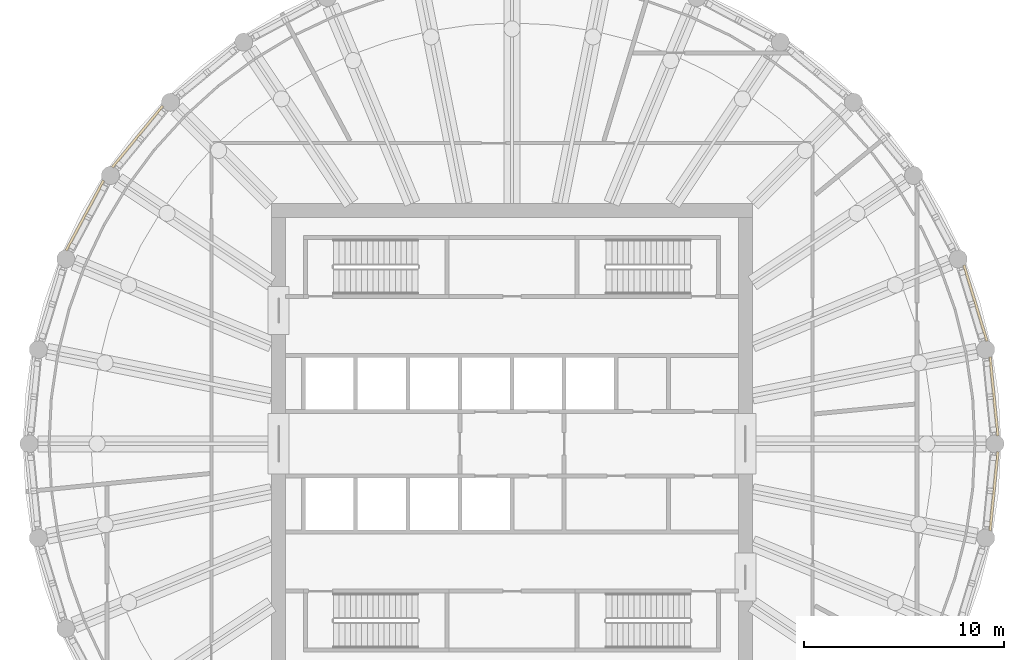
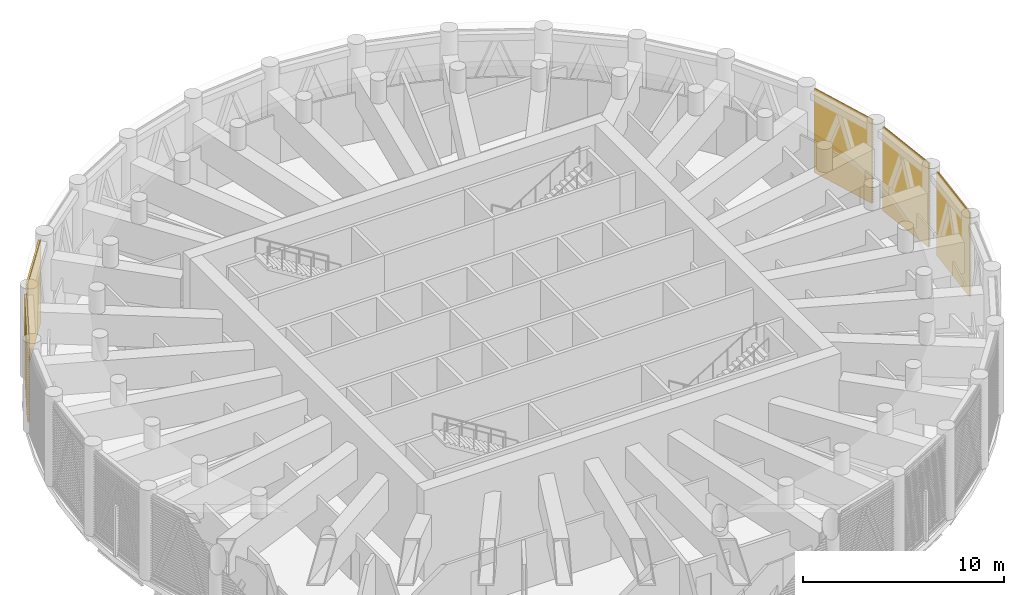
# One storey, part 16 of 19: 5 shading devices, 5 elements without a shape of their own.
"""IFC4 building model written with IfcOpenShell, lengths in metres."""

import ifcopenshell
import ifcopenshell.guid

model = None  # the IFC model being written
_history = None  # IfcOwnerHistory: only IFC2X3 demands one
_inside = {}  # id of a spatial element -> (the spatial element, [elements in it])
_under = {}  # id of a project, library or spatial element -> (it, [spatial elements below it])
_declared = {}  # id of a project -> (the project, [libraries it declares])
_typed = {}  # id of a type object -> (the type object, [elements of that type])
_made_of = {}  # id of a material, layer set ... -> (it, [elements and type objects made of it])


def new_model(schema):
    """Start an empty IFC model of exactly this schema.

    Asked for "IFC4X3", IfcOpenShell would pick the latest addendum, in which some entities
    have other attributes; the version numbers below select the first issue.
    IFC2X3 requires an IfcOwnerHistory on every rooted entity: one is made here for all.
    """
    global model, _history
    if schema == "IFC4X3":
        model = ifcopenshell.file(schema_version=(4, 3, 0, 0))
    else:
        model = ifcopenshell.file(schema=schema)
    _inside.clear()
    _under.clear()
    _declared.clear()
    _typed.clear()
    _made_of.clear()
    _history = None
    if model.schema == "IFC2X3":
        org = make("IfcOrganization", Name="unknown")
        user = make(
            "IfcPersonAndOrganization",
            ThePerson=make("IfcPerson", FamilyName="unknown"),
            TheOrganization=org,
        )
        app = make(
            "IfcApplication",
            ApplicationDeveloper=org,
            Version="unknown",
            ApplicationFullName="unknown",
            ApplicationIdentifier="unknown",
        )
        _history = make(
            "IfcOwnerHistory",
            OwningUser=user,
            OwningApplication=app,
            ChangeAction="ADDED",
            CreationDate=0,
        )
    return model


def make(cls, **values):
    """One entity of the class cls with the attributes given. An attribute that is None is left unset."""
    return model.create_entity(
        cls, **{name: value for name, value in values.items() if value is not None}
    )


def rooted(cls, **values):
    """An entity with a GlobalId (a new one), such as an element, a storey or a relation."""
    return make(cls, GlobalId=ifcopenshell.guid.new(), OwnerHistory=_history, **values)


def si_unit(unit_type, name, prefix=None):
    """IfcSIUnit, for example si_unit("LENGTHUNIT", "METRE", prefix="MILLI")."""
    return make("IfcSIUnit", UnitType=unit_type, Prefix=prefix, Name=name)


def assignment(units):
    """IfcUnitAssignment: the units of a project."""
    return None if units is None else make("IfcUnitAssignment", Units=units)


def point(xyz):
    """IfcCartesianPoint."""
    return None if xyz is None else make("IfcCartesianPoint", Coordinates=xyz)


def direction(xyz):
    """IfcDirection."""
    return None if xyz is None else make("IfcDirection", DirectionRatios=xyz)


def frame(location, z_axis=None, x_axis=None):
    """IfcAxis2Placement3D, a coordinate frame: its origin and axes. An axis left out is left unset."""
    return make(
        "IfcAxis2Placement3D",
        Location=point(location),
        Axis=direction(z_axis),
        RefDirection=direction(x_axis),
    )


def origin():
    """The frame at (0, 0, 0) with its axes left unset."""
    return frame((0.0, 0.0, 0.0))


def place(relative_to, where):
    """IfcLocalPlacement: puts the frame where relative to a parent placement (None: the world)."""
    return make(
        "IfcLocalPlacement", PlacementRelTo=relative_to, RelativePlacement=where
    )


def context(
    kind, dimensions, precision=None, world=None, true_north=None, identifier=None
):
    """IfcGeometricRepresentationContext, for example the 3D "Model" context."""
    return make(
        "IfcGeometricRepresentationContext",
        ContextIdentifier=identifier,
        ContextType=kind,
        CoordinateSpaceDimension=dimensions,
        Precision=precision,
        WorldCoordinateSystem=world,
        TrueNorth=true_north,
    )


def subcontext(parent, identifier, kind, view, scale=None):
    """IfcGeometricRepresentationSubContext, for example "Body" below "Model"."""
    return make(
        "IfcGeometricRepresentationSubContext",
        ContextIdentifier=identifier,
        ContextType=kind,
        ParentContext=parent,
        TargetScale=scale,
        TargetView=view,
    )


def project(units=None, contexts=None):
    """IfcProject with its units and contexts."""
    return rooted(
        "IfcProject",
        Name="project",
        RepresentationContexts=contexts,
        UnitsInContext=assignment(units),
    )


def spatial(cls, under=None, at=None, **own):
    """A site, building, storey or space (cls), placed at a placement, below another one or the project."""
    s = rooted(cls, ObjectPlacement=at, **own)
    if under is not None:
        _under.setdefault(under.id(), (under, []))[1].append(s)
    return s


def polyline(points):
    """IfcPolyline through the points."""
    return make("IfcPolyline", Points=[point(p) for p in points])


def outline(outer, holes=None, kind="AREA"):
    """IfcArbitraryClosedProfileDef: a profile drawn as a closed curve; with holes, ...WithVoids."""
    if holes is None:
        return make("IfcArbitraryClosedProfileDef", ProfileType=kind, OuterCurve=outer)
    return make(
        "IfcArbitraryProfileDefWithVoids",
        ProfileType=kind,
        OuterCurve=outer,
        InnerCurves=holes,
    )


def extrude(swept, where, along, depth):
    """IfcExtrudedAreaSolid: the profile swept, set in the frame where, extruded along a direction by depth."""
    return make(
        "IfcExtrudedAreaSolid",
        SweptArea=swept,
        Position=where,
        ExtrudedDirection=direction(along),
        Depth=depth,
    )


def shape(context_of_items, identifier, shape_type, items):
    """IfcShapeRepresentation: the items that make up one representation, for example the "Body"."""
    return make(
        "IfcShapeRepresentation",
        ContextOfItems=context_of_items,
        RepresentationIdentifier=identifier,
        RepresentationType=shape_type,
        Items=items,
    )


def material(Name=None, Category=None):
    """IfcMaterial."""
    return make("IfcMaterial", Name=Name, Category=Category)


def material_profile(
    of_material, cross_section, Name=None, Category=None, Priority=None
):
    """IfcMaterialProfile: a cross section and its material."""
    return make(
        "IfcMaterialProfile",
        Name=Name,
        Material=of_material,
        Profile=cross_section,
        Priority=Priority,
        Category=Category,
    )


def profile_set(profiles, Name=None, composite=None):
    """IfcMaterialProfileSet."""
    return make(
        "IfcMaterialProfileSet",
        Name=Name,
        MaterialProfiles=profiles,
        CompositeProfile=composite,
    )


def made_of(thing, what):
    """Note that an element or type object is made of a material, layer set ...; save() writes the relation."""
    if what is not None:
        _made_of.setdefault(what.id(), (what, []))[1].append(thing)
    return thing


def type_object(cls, material=None, **own):
    """A type object (cls), such as IfcWallType, which elements share."""
    return made_of(rooted(cls, **own), material)


def element(
    cls,
    number,
    at=None,
    inside=None,
    cuts=None,
    type_object=None,
    material=None,
    context=None,
    identifier="Body",
    shape_type=None,
    held_by="IfcProductDefinitionShape",
    body=None,
    shapes=None,
    **own,
):
    """One element of the class cls, such as IfcWall. Its Tag is "e" and its number.

    at: its placement. inside: the storey or other place that contains it. cuts: it is an
    opening in that element (IfcRelVoidsElement). A single representation is given by context,
    identifier, shape_type and body (its items); several are given by shapes. held_by: the class
    of the entity that holds the representations. save() writes the other relations.
    """
    e = rooted(cls, Tag="e%d" % number, ObjectPlacement=at, **own)
    if body is not None:
        shapes = [shape(context, identifier, shape_type, body)]
    if shapes is not None:
        e.Representation = make(held_by, Representations=shapes)
    if inside is not None:
        _inside.setdefault(inside.id(), (inside, []))[1].append(e)
    if cuts is not None:
        rooted(
            "IfcRelVoidsElement", RelatingBuildingElement=cuts, RelatedOpeningElement=e
        )
    if type_object is not None:
        _typed.setdefault(type_object.id(), (type_object, []))[1].append(e)
    return made_of(e, material)


def aggregate(whole, parts):
    """IfcRelAggregates: a whole, such as a stair, and the parts it consists of."""
    return rooted("IfcRelAggregates", RelatingObject=whole, RelatedObjects=parts)


def save(model, path):
    """Write the relations noted so far, then the file.

    IfcRelAggregates (storeys below a building ...), IfcRelContainedInSpatialStructure (elements
    in a storey), IfcRelDefinesByType, IfcRelAssociatesMaterial and IfcRelDeclares: one each for
    every whole, place, type object, material and project.
    """
    for whole, parts in _under.values():
        aggregate(whole, parts)
    for where, things in _inside.values():
        rooted(
            "IfcRelContainedInSpatialStructure",
            RelatedElements=things,
            RelatingStructure=where,
        )
    for kind, things in _typed.values():
        rooted("IfcRelDefinesByType", RelatedObjects=things, RelatingType=kind)
    for what, things in _made_of.values():
        rooted("IfcRelAssociatesMaterial", RelatedObjects=things, RelatingMaterial=what)
    for by, libraries in _declared.values():
        rooted("IfcRelDeclares", RelatingContext=by, RelatedDefinitions=libraries)
    model.write(path)


model = new_model("IFC4")

# Units and contexts
model_context = context("Model", 3, precision=1e-05, world=origin(), true_north=direction((0.0, 1.0)))
body_context = subcontext(model_context, "Body", "Model", "MODEL_VIEW")
ifc_project = project(units=[si_unit("LENGTHUNIT", "METRE"), si_unit("AREAUNIT", "SQUARE_METRE"), si_unit("VOLUMEUNIT", "CUBIC_METRE"), si_unit("PLANEANGLEUNIT", "RADIAN"), si_unit("MASSUNIT", "GRAM", prefix="KILO")], contexts=[model_context])

# Site, building, storey
site_placement = place(None, origin())
site = spatial("IfcSite", under=ifc_project, at=site_placement, CompositionType="ELEMENT")
building_placement = place(site_placement, origin())
building = spatial("IfcBuilding", under=site, at=building_placement, Name="Corvane Civic Tower", CompositionType="ELEMENT")
storey_placement = place(building_placement, frame((0.0, 0.0, 319.0)))
storey = spatial("IfcBuildingStorey", under=building, at=storey_placement, Name="L76", CompositionType="ELEMENT", Elevation=319.0)

# Curtain wall, shading device
ifc_material_1 = material(Name="Anodised aluminium bronze", Category="aluminium")
curtain_wall_type = type_object("IfcCurtainWallType", Name="TOWER CW-LV LOUVRE SCREEN WALL", PredefinedType="NOTDEFINED", material=ifc_material_1)
curtain_wall_1_placement = place(storey_placement, origin())
curtain_wall_1 = element("IfcCurtainWall", 1, at=curtain_wall_1_placement, inside=storey, type_object=curtain_wall_type, Name="Louvre screen wall CW-LV L76 bay 07", PredefinedType="NOTDEFINED")
ifc_material_2 = material(Name="Anodised aluminium bronze", Category="aluminium")
ifc_material_profile = material_profile(ifc_material_2, outline(polyline([(-0.06005859375, -2.56494140625), (-0.0400390625, -2.56494140625), (0.06005859375, -2.492919921875), (0.06005859375, -2.472900390625), (-0.0400390625, -2.544921875), (-0.0400390625, -2.4140625), (0.06005859375, -2.342041015625), (0.06005859375, -2.322021484375), (-0.0400390625, -2.39404296875), (-0.0400390625, -2.26318359375), (0.06005859375, -2.191162109375), (0.06005859375, -2.171142578125), (-0.0400390625, -2.2431640625), (-0.0400390625, -2.1123046875), (0.06005859375, -2.040283203125), (0.06005859375, -2.0205078125), (-0.0400390625, -2.09228515625), (-0.0400390625, -1.96142578125), (0.06005859375, -1.889404296875), (0.06005859375, -1.869384765625), (-0.0400390625, -1.94140625), (-0.0400390625, -1.810546875), (0.06005859375, -1.738525390625), (0.06005859375, -1.718505859375), (-0.0400390625, -1.79052734375), (-0.0400390625, -1.65966796875), (0.06005859375, -1.587646484375), (0.06005859375, -1.567626953125), (-0.0400390625, -1.6396484375), (-0.0400390625, -1.5087890625), (0.06005859375, -1.436767578125), (0.06005859375, -1.416748046875), (-0.0400390625, -1.48876953125), (-0.0400390625, -1.35791015625), (0.06005859375, -1.285888671875), (0.06005859375, -1.265869140625), (-0.0400390625, -1.337890625), (-0.0400390625, -1.20703125), (0.06005859375, -1.135009765625), (0.06005859375, -1.114990234375), (-0.0400390625, -1.18701171875), (-0.0400390625, -1.05615234375), (0.06005859375, -0.984130859375), (0.06005859375, -0.964111328125), (-0.0400390625, -1.0361328125), (-0.0400390625, -0.9052734375), (0.06005859375, -0.833251953125), (0.06005859375, -0.813232421875), (-0.0400390625, -0.88525390625), (-0.0400390625, -0.75439453125), (0.06005859375, -0.682373046875), (0.06005859375, -0.662353515625), (-0.0400390625, -0.734375), (-0.0400390625, -0.603515625), (0.06005859375, -0.531494140625), (0.06005859375, -0.511474609375), (-0.0400390625, -0.58349609375), (-0.0400390625, -0.45263671875), (0.06005859375, -0.380615234375), (0.06005859375, -0.360595703125), (-0.0400390625, -0.4326171875), (-0.0400390625, -0.3017578125), (0.06005859375, -0.229736328125), (0.06005859375, -0.209716796875), (-0.0400390625, -0.28173828125), (-0.0400390625, -0.15087890625), (0.06005859375, -0.078857421875), (0.06005859375, -0.058837890625), (-0.0400390625, -0.130859375), (-0.0400390625, 0.0), (0.06005859375, 0.072021484375), (0.06005859375, 0.092041015625), (-0.0400390625, 0.02001953125), (-0.0400390625, 0.15087890625), (0.06005859375, 0.222900390625), (0.06005859375, 0.242919921875), (-0.0400390625, 0.1708984375), (-0.0400390625, 0.3017578125), (0.06005859375, 0.373779296875), (0.06005859375, 0.393798828125), (-0.0400390625, 0.32177734375), (-0.0400390625, 0.45263671875), (0.06005859375, 0.524658203125), (0.06005859375, 0.544677734375), (-0.0400390625, 0.47265625), (-0.0400390625, 0.603515625), (0.06005859375, 0.675537109375), (0.06005859375, 0.695556640625), (-0.0400390625, 0.62353515625), (-0.0400390625, 0.75439453125), (0.06005859375, 0.826416015625), (0.06005859375, 0.846435546875), (-0.0400390625, 0.7744140625), (-0.0400390625, 0.9052734375), (0.06005859375, 0.977294921875), (0.06005859375, 0.997314453125), (-0.0400390625, 0.92529296875), (-0.0400390625, 1.05615234375), (0.06005859375, 1.128173828125), (0.06005859375, 1.148193359375), (-0.0400390625, 1.076171875), (-0.0400390625, 1.20703125), (0.06005859375, 1.279052734375), (0.06005859375, 1.299072265625), (-0.0400390625, 1.22705078125), (-0.0400390625, 1.35791015625), (0.06005859375, 1.429931640625), (0.06005859375, 1.449951171875), (-0.0400390625, 1.3779296875), (-0.0400390625, 1.5087890625), (0.06005859375, 1.580810546875), (0.06005859375, 1.600830078125), (-0.0400390625, 1.52880859375), (-0.0400390625, 1.65966796875), (0.06005859375, 1.731689453125), (0.06005859375, 1.751708984375), (-0.0400390625, 1.6796875), (-0.0400390625, 1.810546875), (0.06005859375, 1.882568359375), (0.06005859375, 1.902587890625), (-0.0400390625, 1.83056640625), (-0.0400390625, 1.96142578125), (0.06005859375, 2.033447265625), (0.06005859375, 2.053466796875), (-0.0400390625, 1.9814453125), (-0.0400390625, 2.1123046875), (0.06005859375, 2.184326171875), (0.06005859375, 2.204345703125), (-0.0400390625, 2.13232421875), (-0.0400390625, 2.26318359375), (0.06005859375, 2.335205078125), (0.06005859375, 2.355224609375), (-0.0400390625, 2.283203125), (-0.0400390625, 2.4140625), (0.06005859375, 2.486083984375), (0.06005859375, 2.506103515625), (-0.0400390625, 2.43408203125), (-0.0400390625, 2.56494140625), (-0.06005859375, 2.56494140625), (-0.06005859375, -2.56494140625)])), Name="TOWER LOUVRE BANK 5130 BRONZE")
ifc_profile_set = profile_set([ifc_material_profile], Name="Anodised aluminium bronze")
shading_device_type = type_object("IfcShadingDeviceType", Name="TOWER LOUVRE BANK 5130 BRONZE", PredefinedType="USERDEFINED", material=ifc_profile_set)
shading_device_1_placement = place(storey_placement, frame((22.548095703125, 8.908447265625, 2.68505859375), z_axis=(0.290265825309, -0.956946054205, 0.0), x_axis=(0.956946054205, 0.290265825309, 0.0)))
shading_device_1 = element("IfcShadingDevice", 2, at=shading_device_1_placement, type_object=shading_device_type, Name="Louvre bank L76 07.1", ObjectType="LOUVRE", PredefinedType="USERDEFINED", context=body_context, shape_type="SweptSolid", body=[
    extrude(outline(polyline([(-0.06005859375, -2.56494140625), (-0.0400390625, -2.56494140625), (0.06005859375, -2.492919921875), (0.06005859375, -2.472900390625), (-0.0400390625, -2.544921875), (-0.0400390625, -2.4140625), (0.06005859375, -2.342041015625), (0.06005859375, -2.322021484375), (-0.0400390625, -2.39404296875), (-0.0400390625, -2.26318359375), (0.06005859375, -2.191162109375), (0.06005859375, -2.171142578125), (-0.0400390625, -2.2431640625), (-0.0400390625, -2.1123046875), (0.06005859375, -2.040283203125), (0.06005859375, -2.0205078125), (-0.0400390625, -2.09228515625), (-0.0400390625, -1.96142578125), (0.06005859375, -1.889404296875), (0.06005859375, -1.869384765625), (-0.0400390625, -1.94140625), (-0.0400390625, -1.810546875), (0.06005859375, -1.738525390625), (0.06005859375, -1.718505859375), (-0.0400390625, -1.79052734375), (-0.0400390625, -1.65966796875), (0.06005859375, -1.587646484375), (0.06005859375, -1.567626953125), (-0.0400390625, -1.6396484375), (-0.0400390625, -1.5087890625), (0.06005859375, -1.436767578125), (0.06005859375, -1.416748046875), (-0.0400390625, -1.48876953125), (-0.0400390625, -1.35791015625), (0.06005859375, -1.285888671875), (0.06005859375, -1.265869140625), (-0.0400390625, -1.337890625), (-0.0400390625, -1.20703125), (0.06005859375, -1.135009765625), (0.06005859375, -1.114990234375), (-0.0400390625, -1.18701171875), (-0.0400390625, -1.05615234375), (0.06005859375, -0.984130859375), (0.06005859375, -0.964111328125), (-0.0400390625, -1.0361328125), (-0.0400390625, -0.9052734375), (0.06005859375, -0.833251953125), (0.06005859375, -0.813232421875), (-0.0400390625, -0.88525390625), (-0.0400390625, -0.75439453125), (0.06005859375, -0.682373046875), (0.06005859375, -0.662353515625), (-0.0400390625, -0.734375), (-0.0400390625, -0.603515625), (0.06005859375, -0.531494140625), (0.06005859375, -0.511474609375), (-0.0400390625, -0.58349609375), (-0.0400390625, -0.45263671875), (0.06005859375, -0.380615234375), (0.06005859375, -0.360595703125), (-0.0400390625, -0.4326171875), (-0.0400390625, -0.3017578125), (0.06005859375, -0.229736328125), (0.06005859375, -0.209716796875), (-0.0400390625, -0.28173828125), (-0.0400390625, -0.15087890625), (0.06005859375, -0.078857421875), (0.06005859375, -0.058837890625), (-0.0400390625, -0.130859375), (-0.0400390625, 0.0), (0.06005859375, 0.072021484375), (0.06005859375, 0.092041015625), (-0.0400390625, 0.02001953125), (-0.0400390625, 0.15087890625), (0.06005859375, 0.222900390625), (0.06005859375, 0.242919921875), (-0.0400390625, 0.1708984375), (-0.0400390625, 0.3017578125), (0.06005859375, 0.373779296875), (0.06005859375, 0.393798828125), (-0.0400390625, 0.32177734375), (-0.0400390625, 0.45263671875), (0.06005859375, 0.524658203125), (0.06005859375, 0.544677734375), (-0.0400390625, 0.47265625), (-0.0400390625, 0.603515625), (0.06005859375, 0.675537109375), (0.06005859375, 0.695556640625), (-0.0400390625, 0.62353515625), (-0.0400390625, 0.75439453125), (0.06005859375, 0.826416015625), (0.06005859375, 0.846435546875), (-0.0400390625, 0.7744140625), (-0.0400390625, 0.9052734375), (0.06005859375, 0.977294921875), (0.06005859375, 0.997314453125), (-0.0400390625, 0.92529296875), (-0.0400390625, 1.05615234375), (0.06005859375, 1.128173828125), (0.06005859375, 1.148193359375), (-0.0400390625, 1.076171875), (-0.0400390625, 1.20703125), (0.06005859375, 1.279052734375), (0.06005859375, 1.299072265625), (-0.0400390625, 1.22705078125), (-0.0400390625, 1.35791015625), (0.06005859375, 1.429931640625), (0.06005859375, 1.449951171875), (-0.0400390625, 1.3779296875), (-0.0400390625, 1.5087890625), (0.06005859375, 1.580810546875), (0.06005859375, 1.600830078125), (-0.0400390625, 1.52880859375), (-0.0400390625, 1.65966796875), (0.06005859375, 1.731689453125), (0.06005859375, 1.751708984375), (-0.0400390625, 1.6796875), (-0.0400390625, 1.810546875), (0.06005859375, 1.882568359375), (0.06005859375, 1.902587890625), (-0.0400390625, 1.83056640625), (-0.0400390625, 1.96142578125), (0.06005859375, 2.033447265625), (0.06005859375, 2.053466796875), (-0.0400390625, 1.9814453125), (-0.0400390625, 2.1123046875), (0.06005859375, 2.184326171875), (0.06005859375, 2.204345703125), (-0.0400390625, 2.13232421875), (-0.0400390625, 2.26318359375), (0.06005859375, 2.335205078125), (0.06005859375, 2.355224609375), (-0.0400390625, 2.283203125), (-0.0400390625, 2.4140625), (0.06005859375, 2.486083984375), (0.06005859375, 2.506103515625), (-0.0400390625, 2.43408203125), (-0.0400390625, 2.56494140625), (-0.06005859375, 2.56494140625), (-0.06005859375, -2.56494140625)])), origin(), (0.0, 0.0, 1.0), 3.958984375),
])
aggregate(curtain_wall_1, [shading_device_1])

curtain_wall_2_placement = place(storey_placement, origin())
curtain_wall_2 = element("IfcCurtainWall", 3, at=curtain_wall_2_placement, inside=storey, type_object=curtain_wall_type, Name="Louvre screen wall CW-LV L76 bay 08", PredefinedType="NOTDEFINED")
shading_device_2_placement = place(storey_placement, frame((23.852783203125, 4.338134765625, 2.68505859375), z_axis=(0.097995409999, -0.995186866683, 0.0), x_axis=(0.995186866683, 0.097995409999, 0.0)))
shading_device_2 = element("IfcShadingDevice", 4, at=shading_device_2_placement, type_object=shading_device_type, Name="Louvre bank L76 08.1", ObjectType="LOUVRE", PredefinedType="USERDEFINED", context=body_context, shape_type="SweptSolid", body=[
    extrude(outline(polyline([(-0.06005859375, -2.56494140625), (-0.0400390625, -2.56494140625), (0.06005859375, -2.492919921875), (0.06005859375, -2.472900390625), (-0.0400390625, -2.544921875), (-0.0400390625, -2.4140625), (0.06005859375, -2.342041015625), (0.06005859375, -2.322021484375), (-0.0400390625, -2.39404296875), (-0.0400390625, -2.26318359375), (0.06005859375, -2.191162109375), (0.06005859375, -2.171142578125), (-0.0400390625, -2.2431640625), (-0.0400390625, -2.1123046875), (0.06005859375, -2.040283203125), (0.06005859375, -2.0205078125), (-0.0400390625, -2.09228515625), (-0.0400390625, -1.96142578125), (0.06005859375, -1.889404296875), (0.06005859375, -1.869384765625), (-0.0400390625, -1.94140625), (-0.0400390625, -1.810546875), (0.06005859375, -1.738525390625), (0.06005859375, -1.718505859375), (-0.0400390625, -1.79052734375), (-0.0400390625, -1.65966796875), (0.06005859375, -1.587646484375), (0.06005859375, -1.567626953125), (-0.0400390625, -1.6396484375), (-0.0400390625, -1.5087890625), (0.06005859375, -1.436767578125), (0.06005859375, -1.416748046875), (-0.0400390625, -1.48876953125), (-0.0400390625, -1.35791015625), (0.06005859375, -1.285888671875), (0.06005859375, -1.265869140625), (-0.0400390625, -1.337890625), (-0.0400390625, -1.20703125), (0.06005859375, -1.135009765625), (0.06005859375, -1.114990234375), (-0.0400390625, -1.18701171875), (-0.0400390625, -1.05615234375), (0.06005859375, -0.984130859375), (0.06005859375, -0.964111328125), (-0.0400390625, -1.0361328125), (-0.0400390625, -0.9052734375), (0.06005859375, -0.833251953125), (0.06005859375, -0.813232421875), (-0.0400390625, -0.88525390625), (-0.0400390625, -0.75439453125), (0.06005859375, -0.682373046875), (0.06005859375, -0.662353515625), (-0.0400390625, -0.734375), (-0.0400390625, -0.603515625), (0.06005859375, -0.531494140625), (0.06005859375, -0.511474609375), (-0.0400390625, -0.58349609375), (-0.0400390625, -0.45263671875), (0.06005859375, -0.380615234375), (0.06005859375, -0.360595703125), (-0.0400390625, -0.4326171875), (-0.0400390625, -0.3017578125), (0.06005859375, -0.229736328125), (0.06005859375, -0.209716796875), (-0.0400390625, -0.28173828125), (-0.0400390625, -0.15087890625), (0.06005859375, -0.078857421875), (0.06005859375, -0.058837890625), (-0.0400390625, -0.130859375), (-0.0400390625, 0.0), (0.06005859375, 0.072021484375), (0.06005859375, 0.092041015625), (-0.0400390625, 0.02001953125), (-0.0400390625, 0.15087890625), (0.06005859375, 0.222900390625), (0.06005859375, 0.242919921875), (-0.0400390625, 0.1708984375), (-0.0400390625, 0.3017578125), (0.06005859375, 0.373779296875), (0.06005859375, 0.393798828125), (-0.0400390625, 0.32177734375), (-0.0400390625, 0.45263671875), (0.06005859375, 0.524658203125), (0.06005859375, 0.544677734375), (-0.0400390625, 0.47265625), (-0.0400390625, 0.603515625), (0.06005859375, 0.675537109375), (0.06005859375, 0.695556640625), (-0.0400390625, 0.62353515625), (-0.0400390625, 0.75439453125), (0.06005859375, 0.826416015625), (0.06005859375, 0.846435546875), (-0.0400390625, 0.7744140625), (-0.0400390625, 0.9052734375), (0.06005859375, 0.977294921875), (0.06005859375, 0.997314453125), (-0.0400390625, 0.92529296875), (-0.0400390625, 1.05615234375), (0.06005859375, 1.128173828125), (0.06005859375, 1.148193359375), (-0.0400390625, 1.076171875), (-0.0400390625, 1.20703125), (0.06005859375, 1.279052734375), (0.06005859375, 1.299072265625), (-0.0400390625, 1.22705078125), (-0.0400390625, 1.35791015625), (0.06005859375, 1.429931640625), (0.06005859375, 1.449951171875), (-0.0400390625, 1.3779296875), (-0.0400390625, 1.5087890625), (0.06005859375, 1.580810546875), (0.06005859375, 1.600830078125), (-0.0400390625, 1.52880859375), (-0.0400390625, 1.65966796875), (0.06005859375, 1.731689453125), (0.06005859375, 1.751708984375), (-0.0400390625, 1.6796875), (-0.0400390625, 1.810546875), (0.06005859375, 1.882568359375), (0.06005859375, 1.902587890625), (-0.0400390625, 1.83056640625), (-0.0400390625, 1.96142578125), (0.06005859375, 2.033447265625), (0.06005859375, 2.053466796875), (-0.0400390625, 1.9814453125), (-0.0400390625, 2.1123046875), (0.06005859375, 2.184326171875), (0.06005859375, 2.204345703125), (-0.0400390625, 2.13232421875), (-0.0400390625, 2.26318359375), (0.06005859375, 2.335205078125), (0.06005859375, 2.355224609375), (-0.0400390625, 2.283203125), (-0.0400390625, 2.4140625), (0.06005859375, 2.486083984375), (0.06005859375, 2.506103515625), (-0.0400390625, 2.43408203125), (-0.0400390625, 2.56494140625), (-0.06005859375, 2.56494140625), (-0.06005859375, -2.56494140625)])), origin(), (0.0, 0.0, 1.0), 3.958740234375),
])
aggregate(curtain_wall_2, [shading_device_2])

curtain_wall_3_placement = place(storey_placement, origin())
curtain_wall_3 = element("IfcCurtainWall", 5, at=curtain_wall_3_placement, inside=storey, type_object=curtain_wall_type, Name="Louvre screen wall CW-LV L76 bay 09", PredefinedType="NOTDEFINED")
shading_device_3_placement = place(storey_placement, frame((24.24072265625, -0.3984375, 2.68505859375), z_axis=(-0.097995409999, -0.995186866683, 0.0), x_axis=(0.995186866683, -0.097995409999, 0.0)))
shading_device_3 = element("IfcShadingDevice", 6, at=shading_device_3_placement, type_object=shading_device_type, Name="Louvre bank L76 09.1", ObjectType="LOUVRE", PredefinedType="USERDEFINED", context=body_context, shape_type="SweptSolid", body=[
    extrude(outline(polyline([(-0.06005859375, -2.56494140625), (-0.0400390625, -2.56494140625), (0.06005859375, -2.492919921875), (0.06005859375, -2.472900390625), (-0.0400390625, -2.544921875), (-0.0400390625, -2.4140625), (0.06005859375, -2.342041015625), (0.06005859375, -2.322021484375), (-0.0400390625, -2.39404296875), (-0.0400390625, -2.26318359375), (0.06005859375, -2.191162109375), (0.06005859375, -2.171142578125), (-0.0400390625, -2.2431640625), (-0.0400390625, -2.1123046875), (0.06005859375, -2.040283203125), (0.06005859375, -2.0205078125), (-0.0400390625, -2.09228515625), (-0.0400390625, -1.96142578125), (0.06005859375, -1.889404296875), (0.06005859375, -1.869384765625), (-0.0400390625, -1.94140625), (-0.0400390625, -1.810546875), (0.06005859375, -1.738525390625), (0.06005859375, -1.718505859375), (-0.0400390625, -1.79052734375), (-0.0400390625, -1.65966796875), (0.06005859375, -1.587646484375), (0.06005859375, -1.567626953125), (-0.0400390625, -1.6396484375), (-0.0400390625, -1.5087890625), (0.06005859375, -1.436767578125), (0.06005859375, -1.416748046875), (-0.0400390625, -1.48876953125), (-0.0400390625, -1.35791015625), (0.06005859375, -1.285888671875), (0.06005859375, -1.265869140625), (-0.0400390625, -1.337890625), (-0.0400390625, -1.20703125), (0.06005859375, -1.135009765625), (0.06005859375, -1.114990234375), (-0.0400390625, -1.18701171875), (-0.0400390625, -1.05615234375), (0.06005859375, -0.984130859375), (0.06005859375, -0.964111328125), (-0.0400390625, -1.0361328125), (-0.0400390625, -0.9052734375), (0.06005859375, -0.833251953125), (0.06005859375, -0.813232421875), (-0.0400390625, -0.88525390625), (-0.0400390625, -0.75439453125), (0.06005859375, -0.682373046875), (0.06005859375, -0.662353515625), (-0.0400390625, -0.734375), (-0.0400390625, -0.603515625), (0.06005859375, -0.531494140625), (0.06005859375, -0.511474609375), (-0.0400390625, -0.58349609375), (-0.0400390625, -0.45263671875), (0.06005859375, -0.380615234375), (0.06005859375, -0.360595703125), (-0.0400390625, -0.4326171875), (-0.0400390625, -0.3017578125), (0.06005859375, -0.229736328125), (0.06005859375, -0.209716796875), (-0.0400390625, -0.28173828125), (-0.0400390625, -0.15087890625), (0.06005859375, -0.078857421875), (0.06005859375, -0.058837890625), (-0.0400390625, -0.130859375), (-0.0400390625, 0.0), (0.06005859375, 0.072021484375), (0.06005859375, 0.092041015625), (-0.0400390625, 0.02001953125), (-0.0400390625, 0.15087890625), (0.06005859375, 0.222900390625), (0.06005859375, 0.242919921875), (-0.0400390625, 0.1708984375), (-0.0400390625, 0.3017578125), (0.06005859375, 0.373779296875), (0.06005859375, 0.393798828125), (-0.0400390625, 0.32177734375), (-0.0400390625, 0.45263671875), (0.06005859375, 0.524658203125), (0.06005859375, 0.544677734375), (-0.0400390625, 0.47265625), (-0.0400390625, 0.603515625), (0.06005859375, 0.675537109375), (0.06005859375, 0.695556640625), (-0.0400390625, 0.62353515625), (-0.0400390625, 0.75439453125), (0.06005859375, 0.826416015625), (0.06005859375, 0.846435546875), (-0.0400390625, 0.7744140625), (-0.0400390625, 0.9052734375), (0.06005859375, 0.977294921875), (0.06005859375, 0.997314453125), (-0.0400390625, 0.92529296875), (-0.0400390625, 1.05615234375), (0.06005859375, 1.128173828125), (0.06005859375, 1.148193359375), (-0.0400390625, 1.076171875), (-0.0400390625, 1.20703125), (0.06005859375, 1.279052734375), (0.06005859375, 1.299072265625), (-0.0400390625, 1.22705078125), (-0.0400390625, 1.35791015625), (0.06005859375, 1.429931640625), (0.06005859375, 1.449951171875), (-0.0400390625, 1.3779296875), (-0.0400390625, 1.5087890625), (0.06005859375, 1.580810546875), (0.06005859375, 1.600830078125), (-0.0400390625, 1.52880859375), (-0.0400390625, 1.65966796875), (0.06005859375, 1.731689453125), (0.06005859375, 1.751708984375), (-0.0400390625, 1.6796875), (-0.0400390625, 1.810546875), (0.06005859375, 1.882568359375), (0.06005859375, 1.902587890625), (-0.0400390625, 1.83056640625), (-0.0400390625, 1.96142578125), (0.06005859375, 2.033447265625), (0.06005859375, 2.053466796875), (-0.0400390625, 1.9814453125), (-0.0400390625, 2.1123046875), (0.06005859375, 2.184326171875), (0.06005859375, 2.204345703125), (-0.0400390625, 2.13232421875), (-0.0400390625, 2.26318359375), (0.06005859375, 2.335205078125), (0.06005859375, 2.355224609375), (-0.0400390625, 2.283203125), (-0.0400390625, 2.4140625), (0.06005859375, 2.486083984375), (0.06005859375, 2.506103515625), (-0.0400390625, 2.43408203125), (-0.0400390625, 2.56494140625), (-0.06005859375, 2.56494140625), (-0.06005859375, -2.56494140625)])), origin(), (0.0, 0.0, 1.0), 3.958740234375),
])
aggregate(curtain_wall_3, [shading_device_3])

curtain_wall_4_placement = place(storey_placement, origin())
curtain_wall_4 = element("IfcCurtainWall", 7, at=curtain_wall_4_placement, inside=storey, type_object=curtain_wall_type, Name="Louvre screen wall CW-LV L76 bay 27", PredefinedType="NOTDEFINED")
shading_device_4_placement = place(storey_placement, frame((-22.2431640625, 9.644775390625, 2.68505859375), z_axis=(0.471468241052, 0.881883040816, 0.0), x_axis=(-0.881883040816, 0.471468241052, 0.0)))
shading_device_4 = element("IfcShadingDevice", 8, at=shading_device_4_placement, type_object=shading_device_type, Name="Louvre bank L76 27.1", ObjectType="LOUVRE", PredefinedType="USERDEFINED", context=body_context, shape_type="SweptSolid", body=[
    extrude(outline(polyline([(-0.06005859375, -2.56494140625), (-0.0400390625, -2.56494140625), (0.06005859375, -2.492919921875), (0.06005859375, -2.472900390625), (-0.0400390625, -2.544921875), (-0.0400390625, -2.4140625), (0.06005859375, -2.342041015625), (0.06005859375, -2.322021484375), (-0.0400390625, -2.39404296875), (-0.0400390625, -2.26318359375), (0.06005859375, -2.191162109375), (0.06005859375, -2.171142578125), (-0.0400390625, -2.2431640625), (-0.0400390625, -2.1123046875), (0.06005859375, -2.040283203125), (0.06005859375, -2.0205078125), (-0.0400390625, -2.09228515625), (-0.0400390625, -1.96142578125), (0.06005859375, -1.889404296875), (0.06005859375, -1.869384765625), (-0.0400390625, -1.94140625), (-0.0400390625, -1.810546875), (0.06005859375, -1.738525390625), (0.06005859375, -1.718505859375), (-0.0400390625, -1.79052734375), (-0.0400390625, -1.65966796875), (0.06005859375, -1.587646484375), (0.06005859375, -1.567626953125), (-0.0400390625, -1.6396484375), (-0.0400390625, -1.5087890625), (0.06005859375, -1.436767578125), (0.06005859375, -1.416748046875), (-0.0400390625, -1.48876953125), (-0.0400390625, -1.35791015625), (0.06005859375, -1.285888671875), (0.06005859375, -1.265869140625), (-0.0400390625, -1.337890625), (-0.0400390625, -1.20703125), (0.06005859375, -1.135009765625), (0.06005859375, -1.114990234375), (-0.0400390625, -1.18701171875), (-0.0400390625, -1.05615234375), (0.06005859375, -0.984130859375), (0.06005859375, -0.964111328125), (-0.0400390625, -1.0361328125), (-0.0400390625, -0.9052734375), (0.06005859375, -0.833251953125), (0.06005859375, -0.813232421875), (-0.0400390625, -0.88525390625), (-0.0400390625, -0.75439453125), (0.06005859375, -0.682373046875), (0.06005859375, -0.662353515625), (-0.0400390625, -0.734375), (-0.0400390625, -0.603515625), (0.06005859375, -0.531494140625), (0.06005859375, -0.511474609375), (-0.0400390625, -0.58349609375), (-0.0400390625, -0.45263671875), (0.06005859375, -0.380615234375), (0.06005859375, -0.360595703125), (-0.0400390625, -0.4326171875), (-0.0400390625, -0.3017578125), (0.06005859375, -0.229736328125), (0.06005859375, -0.209716796875), (-0.0400390625, -0.28173828125), (-0.0400390625, -0.15087890625), (0.06005859375, -0.078857421875), (0.06005859375, -0.058837890625), (-0.0400390625, -0.130859375), (-0.0400390625, 0.0), (0.06005859375, 0.072021484375), (0.06005859375, 0.092041015625), (-0.0400390625, 0.02001953125), (-0.0400390625, 0.15087890625), (0.06005859375, 0.222900390625), (0.06005859375, 0.242919921875), (-0.0400390625, 0.1708984375), (-0.0400390625, 0.3017578125), (0.06005859375, 0.373779296875), (0.06005859375, 0.393798828125), (-0.0400390625, 0.32177734375), (-0.0400390625, 0.45263671875), (0.06005859375, 0.524658203125), (0.06005859375, 0.544677734375), (-0.0400390625, 0.47265625), (-0.0400390625, 0.603515625), (0.06005859375, 0.675537109375), (0.06005859375, 0.695556640625), (-0.0400390625, 0.62353515625), (-0.0400390625, 0.75439453125), (0.06005859375, 0.826416015625), (0.06005859375, 0.846435546875), (-0.0400390625, 0.7744140625), (-0.0400390625, 0.9052734375), (0.06005859375, 0.977294921875), (0.06005859375, 0.997314453125), (-0.0400390625, 0.92529296875), (-0.0400390625, 1.05615234375), (0.06005859375, 1.128173828125), (0.06005859375, 1.148193359375), (-0.0400390625, 1.076171875), (-0.0400390625, 1.20703125), (0.06005859375, 1.279052734375), (0.06005859375, 1.299072265625), (-0.0400390625, 1.22705078125), (-0.0400390625, 1.35791015625), (0.06005859375, 1.429931640625), (0.06005859375, 1.449951171875), (-0.0400390625, 1.3779296875), (-0.0400390625, 1.5087890625), (0.06005859375, 1.580810546875), (0.06005859375, 1.600830078125), (-0.0400390625, 1.52880859375), (-0.0400390625, 1.65966796875), (0.06005859375, 1.731689453125), (0.06005859375, 1.751708984375), (-0.0400390625, 1.6796875), (-0.0400390625, 1.810546875), (0.06005859375, 1.882568359375), (0.06005859375, 1.902587890625), (-0.0400390625, 1.83056640625), (-0.0400390625, 1.96142578125), (0.06005859375, 2.033447265625), (0.06005859375, 2.053466796875), (-0.0400390625, 1.9814453125), (-0.0400390625, 2.1123046875), (0.06005859375, 2.184326171875), (0.06005859375, 2.204345703125), (-0.0400390625, 2.13232421875), (-0.0400390625, 2.26318359375), (0.06005859375, 2.335205078125), (0.06005859375, 2.355224609375), (-0.0400390625, 2.283203125), (-0.0400390625, 2.4140625), (0.06005859375, 2.486083984375), (0.06005859375, 2.506103515625), (-0.0400390625, 2.43408203125), (-0.0400390625, 2.56494140625), (-0.06005859375, 2.56494140625), (-0.06005859375, -2.56494140625)])), origin(), (0.0, 0.0, 1.0), 3.958740234375),
])
aggregate(curtain_wall_4, [shading_device_4])

curtain_wall_5_placement = place(storey_placement, origin())
curtain_wall_5 = element("IfcCurtainWall", 9, at=curtain_wall_5_placement, inside=storey, type_object=curtain_wall_type, Name="Louvre screen wall CW-LV L76 bay 28", PredefinedType="NOTDEFINED")
shading_device_5_placement = place(storey_placement, frame((-19.93408203125, 13.798828125, 2.68505859375), z_axis=(0.634415838373, 0.772991943051, 0.0), x_axis=(-0.772991943051, 0.634415838373, 0.0)))
shading_device_5 = element("IfcShadingDevice", 10, at=shading_device_5_placement, type_object=shading_device_type, Name="Louvre bank L76 28.1", ObjectType="LOUVRE", PredefinedType="USERDEFINED", context=body_context, shape_type="SweptSolid", body=[
    extrude(outline(polyline([(-0.06005859375, -2.56494140625), (-0.0400390625, -2.56494140625), (0.06005859375, -2.492919921875), (0.06005859375, -2.472900390625), (-0.0400390625, -2.544921875), (-0.0400390625, -2.4140625), (0.06005859375, -2.342041015625), (0.06005859375, -2.322021484375), (-0.0400390625, -2.39404296875), (-0.0400390625, -2.26318359375), (0.06005859375, -2.191162109375), (0.06005859375, -2.171142578125), (-0.0400390625, -2.2431640625), (-0.0400390625, -2.1123046875), (0.06005859375, -2.040283203125), (0.06005859375, -2.0205078125), (-0.0400390625, -2.09228515625), (-0.0400390625, -1.96142578125), (0.06005859375, -1.889404296875), (0.06005859375, -1.869384765625), (-0.0400390625, -1.94140625), (-0.0400390625, -1.810546875), (0.06005859375, -1.738525390625), (0.06005859375, -1.718505859375), (-0.0400390625, -1.79052734375), (-0.0400390625, -1.65966796875), (0.06005859375, -1.587646484375), (0.06005859375, -1.567626953125), (-0.0400390625, -1.6396484375), (-0.0400390625, -1.5087890625), (0.06005859375, -1.436767578125), (0.06005859375, -1.416748046875), (-0.0400390625, -1.48876953125), (-0.0400390625, -1.35791015625), (0.06005859375, -1.285888671875), (0.06005859375, -1.265869140625), (-0.0400390625, -1.337890625), (-0.0400390625, -1.20703125), (0.06005859375, -1.135009765625), (0.06005859375, -1.114990234375), (-0.0400390625, -1.18701171875), (-0.0400390625, -1.05615234375), (0.06005859375, -0.984130859375), (0.06005859375, -0.964111328125), (-0.0400390625, -1.0361328125), (-0.0400390625, -0.9052734375), (0.06005859375, -0.833251953125), (0.06005859375, -0.813232421875), (-0.0400390625, -0.88525390625), (-0.0400390625, -0.75439453125), (0.06005859375, -0.682373046875), (0.06005859375, -0.662353515625), (-0.0400390625, -0.734375), (-0.0400390625, -0.603515625), (0.06005859375, -0.531494140625), (0.06005859375, -0.511474609375), (-0.0400390625, -0.58349609375), (-0.0400390625, -0.45263671875), (0.06005859375, -0.380615234375), (0.06005859375, -0.360595703125), (-0.0400390625, -0.4326171875), (-0.0400390625, -0.3017578125), (0.06005859375, -0.229736328125), (0.06005859375, -0.209716796875), (-0.0400390625, -0.28173828125), (-0.0400390625, -0.15087890625), (0.06005859375, -0.078857421875), (0.06005859375, -0.058837890625), (-0.0400390625, -0.130859375), (-0.0400390625, 0.0), (0.06005859375, 0.072021484375), (0.06005859375, 0.092041015625), (-0.0400390625, 0.02001953125), (-0.0400390625, 0.15087890625), (0.06005859375, 0.222900390625), (0.06005859375, 0.242919921875), (-0.0400390625, 0.1708984375), (-0.0400390625, 0.3017578125), (0.06005859375, 0.373779296875), (0.06005859375, 0.393798828125), (-0.0400390625, 0.32177734375), (-0.0400390625, 0.45263671875), (0.06005859375, 0.524658203125), (0.06005859375, 0.544677734375), (-0.0400390625, 0.47265625), (-0.0400390625, 0.603515625), (0.06005859375, 0.675537109375), (0.06005859375, 0.695556640625), (-0.0400390625, 0.62353515625), (-0.0400390625, 0.75439453125), (0.06005859375, 0.826416015625), (0.06005859375, 0.846435546875), (-0.0400390625, 0.7744140625), (-0.0400390625, 0.9052734375), (0.06005859375, 0.977294921875), (0.06005859375, 0.997314453125), (-0.0400390625, 0.92529296875), (-0.0400390625, 1.05615234375), (0.06005859375, 1.128173828125), (0.06005859375, 1.148193359375), (-0.0400390625, 1.076171875), (-0.0400390625, 1.20703125), (0.06005859375, 1.279052734375), (0.06005859375, 1.299072265625), (-0.0400390625, 1.22705078125), (-0.0400390625, 1.35791015625), (0.06005859375, 1.429931640625), (0.06005859375, 1.449951171875), (-0.0400390625, 1.3779296875), (-0.0400390625, 1.5087890625), (0.06005859375, 1.580810546875), (0.06005859375, 1.600830078125), (-0.0400390625, 1.52880859375), (-0.0400390625, 1.65966796875), (0.06005859375, 1.731689453125), (0.06005859375, 1.751708984375), (-0.0400390625, 1.6796875), (-0.0400390625, 1.810546875), (0.06005859375, 1.882568359375), (0.06005859375, 1.902587890625), (-0.0400390625, 1.83056640625), (-0.0400390625, 1.96142578125), (0.06005859375, 2.033447265625), (0.06005859375, 2.053466796875), (-0.0400390625, 1.9814453125), (-0.0400390625, 2.1123046875), (0.06005859375, 2.184326171875), (0.06005859375, 2.204345703125), (-0.0400390625, 2.13232421875), (-0.0400390625, 2.26318359375), (0.06005859375, 2.335205078125), (0.06005859375, 2.355224609375), (-0.0400390625, 2.283203125), (-0.0400390625, 2.4140625), (0.06005859375, 2.486083984375), (0.06005859375, 2.506103515625), (-0.0400390625, 2.43408203125), (-0.0400390625, 2.56494140625), (-0.06005859375, 2.56494140625), (-0.06005859375, -2.56494140625)])), origin(), (0.0, 0.0, 1.0), 3.958740234375),
])
aggregate(curtain_wall_5, [shading_device_5])

save(model, "model.ifc")
